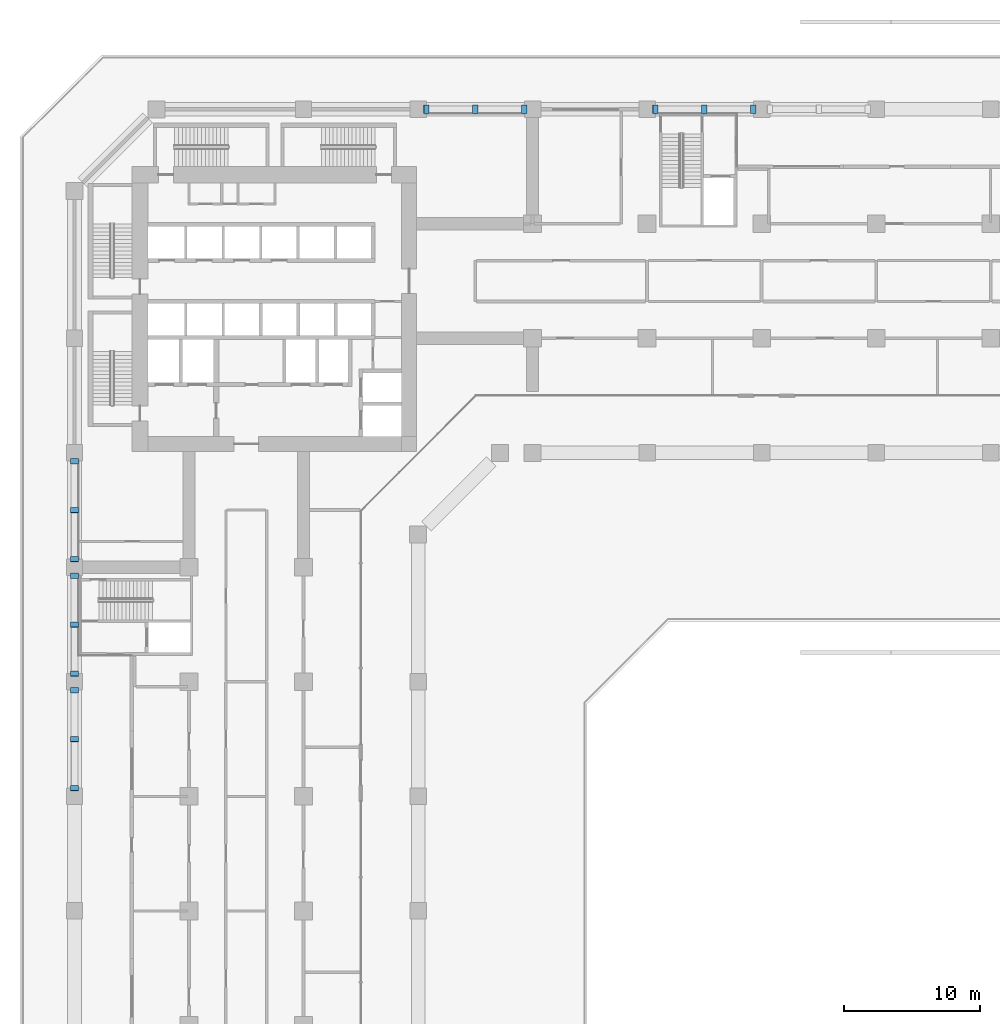
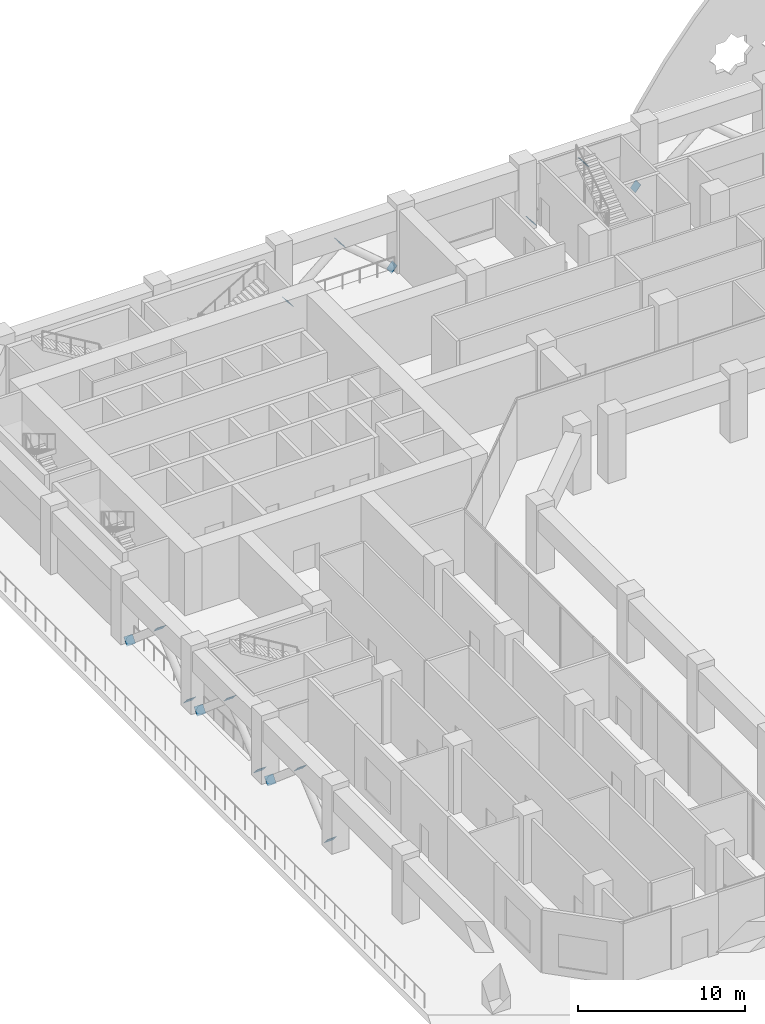
# One storey, part 11 of 19: 15 discrete accessories.
"""IFC4 building model written with IfcOpenShell, lengths in metres."""

from ifc_helpers import new_model, si_unit, direction, frame, origin, origin_2d, place, context, subcontext, project, spatial, rectangle, extrude, material, material_profile, profile_set, type_object, element, save


model = new_model("IFC4")

# Units and contexts
model_context = context("Model", 3, precision=1e-05, world=origin(), true_north=direction((0.0, 1.0)))
body_context = subcontext(model_context, "Body", "Model", "MODEL_VIEW")
ifc_project = project(units=[si_unit("LENGTHUNIT", "METRE"), si_unit("AREAUNIT", "SQUARE_METRE"), si_unit("VOLUMEUNIT", "CUBIC_METRE"), si_unit("PLANEANGLEUNIT", "RADIAN"), si_unit("MASSUNIT", "GRAM", prefix="KILO")], contexts=[model_context])

# Site, building, storey
site_placement = place(None, origin())
site = spatial("IfcSite", under=ifc_project, at=site_placement, CompositionType="ELEMENT")
building_placement = place(site_placement, origin())
building = spatial("IfcBuilding", under=site, at=building_placement, Name="Kawkab Arch Medical Tower", CompositionType="ELEMENT")
storey_placement = place(building_placement, frame((0.0, 0.0, 34.199951171875)))
storey = spatial("IfcBuildingStorey", under=building, at=storey_placement, Name="L07", CompositionType="ELEMENT", Elevation=34.199951171875)

# Discrete accessories
ifc_material = material(Name="Steel S355", Category="steel")
ifc_material_profile = material_profile(ifc_material, rectangle(XDim=0.60791015625, YDim=0.60791015625, at=origin_2d()), Name="End plate 608 x 20")
ifc_profile_set = profile_set([ifc_material_profile], Name="Steel S355")
discrete_accessory_type = type_object("IfcDiscreteAccessoryType", Name="End plate 608 x 20", PredefinedType="ANCHORPLATE", material=ifc_profile_set)
discrete_accessory_1_placement = place(storey_placement, frame((29.392333984375, 0.0, 3.175048828125), z_axis=(0.759256602365, 0.0, 0.650791373456), x_axis=(0.0, 1.0, 0.0)))
element("IfcDiscreteAccessory", 1, at=discrete_accessory_1_placement, inside=storey, type_object=discrete_accessory_type, Name="End plate BT1", PredefinedType="ANCHORPLATE", context=body_context, shape_type="SweptSolid", body=[
    extrude(rectangle(XDim=0.60791015625, YDim=0.60791015625, at=origin_2d()), origin(), (0.0, 0.0, 1.0), 0.020263671875),
])
for number, where, z_axis, x_axis, name in (
    (2, (46.1923828125, 0.0, 3.175048828125), (0.754081595886, 0.0, 0.656780744804), (0.0, 1.0, 0.0), "End plate BT1"),
    (3, (0.0, -46.20751953125, 3.175048828125), (0.0, 0.754081595886, 0.656780744804), (-1.0, 0.0, 0.0), "End plate BT1"),
    (4, (0.0, -37.8076171875, 3.175048828125), (0.0, 0.754081595886, 0.656780744804), (-1.0, 0.0, 0.0), "End plate BT1"),
):
    element("IfcDiscreteAccessory", number, at=place(storey_placement, frame(where, z_axis=z_axis, x_axis=x_axis)), inside=storey, type_object=discrete_accessory_type, Name=name, PredefinedType="ANCHORPLATE", context=body_context, shape_type="SweptSolid", body=[
        extrude(rectangle(XDim=0.60791015625, YDim=0.60791015625, at=origin_2d()), origin(), (0.0, 0.0, 1.0), 0.02001953125),
    ])
discrete_accessory_2_placement = place(storey_placement, frame((0.0, -29.40771484375, 3.175048828125), z_axis=(0.0, 0.759256602365, 0.650791373456), x_axis=(-1.0, 0.0, 0.0)))
element("IfcDiscreteAccessory", 5, at=discrete_accessory_2_placement, inside=storey, type_object=discrete_accessory_type, Name="End plate BT1", PredefinedType="ANCHORPLATE", context=body_context, shape_type="SweptSolid", body=[
    extrude(rectangle(XDim=0.60791015625, YDim=0.60791015625, at=origin_2d()), origin(), (0.0, 0.0, 1.0), 0.020263671875),
])
for number, where, z_axis, x_axis, name in (
    (6, (25.815185546875, 0.0, 0.143310546875), (-0.760121344352, 0.0, -0.649781149204), (0.0, -1.0, 0.0), "End plate BT1"),
    (7, (32.984619140625, 0.0, 0.143310546875), (0.765226087432, 0.0, -0.643761629109), (0.0, 1.0, 0.0), "End plate BT1"),
    (8, (42.615234375, 0.0, 0.143310546875), (-0.760121344352, 0.0, -0.649781149204), (0.0, -1.0, 0.0), "End plate BT1"),
    (9, (49.78466796875, 0.0, 0.143310546875), (0.765226087432, 0.0, -0.643761629109), (0.0, 1.0, 0.0), "End plate BT1"),
    (10, (0.0, -49.78466796875, 0.143310546875), (0.0, -0.765226087432, -0.643761629109), (1.0, 0.0, 0.0), "End plate BT1"),
    (11, (0.0, -42.615234375, 0.143310546875), (0.0, 0.760121344352, -0.649781149204), (-1.0, 0.0, 0.0), "End plate BT1"),
    (12, (0.0, -41.384765625, 0.143310546875), (0.0, -0.760121344352, -0.649781149204), (1.0, 0.0, 0.0), "End plate BT1"),
    (13, (0.0, -34.21533203125, 0.143310546875), (0.0, 0.765226087432, -0.643761629109), (-1.0, 0.0, 0.0), "End plate BT1"),
    (14, (0.0, -32.984619140625, 0.143310546875), (0.0, -0.765226087432, -0.643761629109), (1.0, 0.0, 0.0), "End plate BT1"),
    (15, (0.0, -25.815185546875, 0.143310546875), (0.0, 0.760121344352, -0.649781149204), (-1.0, 0.0, 0.0), "End plate BT1"),
):
    element("IfcDiscreteAccessory", number, at=place(storey_placement, frame(where, z_axis=z_axis, x_axis=x_axis)), inside=storey, type_object=discrete_accessory_type, Name=name, PredefinedType="ANCHORPLATE", context=body_context, shape_type="SweptSolid", body=[
        extrude(rectangle(XDim=0.60791015625, YDim=0.60791015625, at=origin_2d()), origin(), (0.0, 0.0, 1.0), 0.02001953125),
    ])

save(model, "model.ifc")
